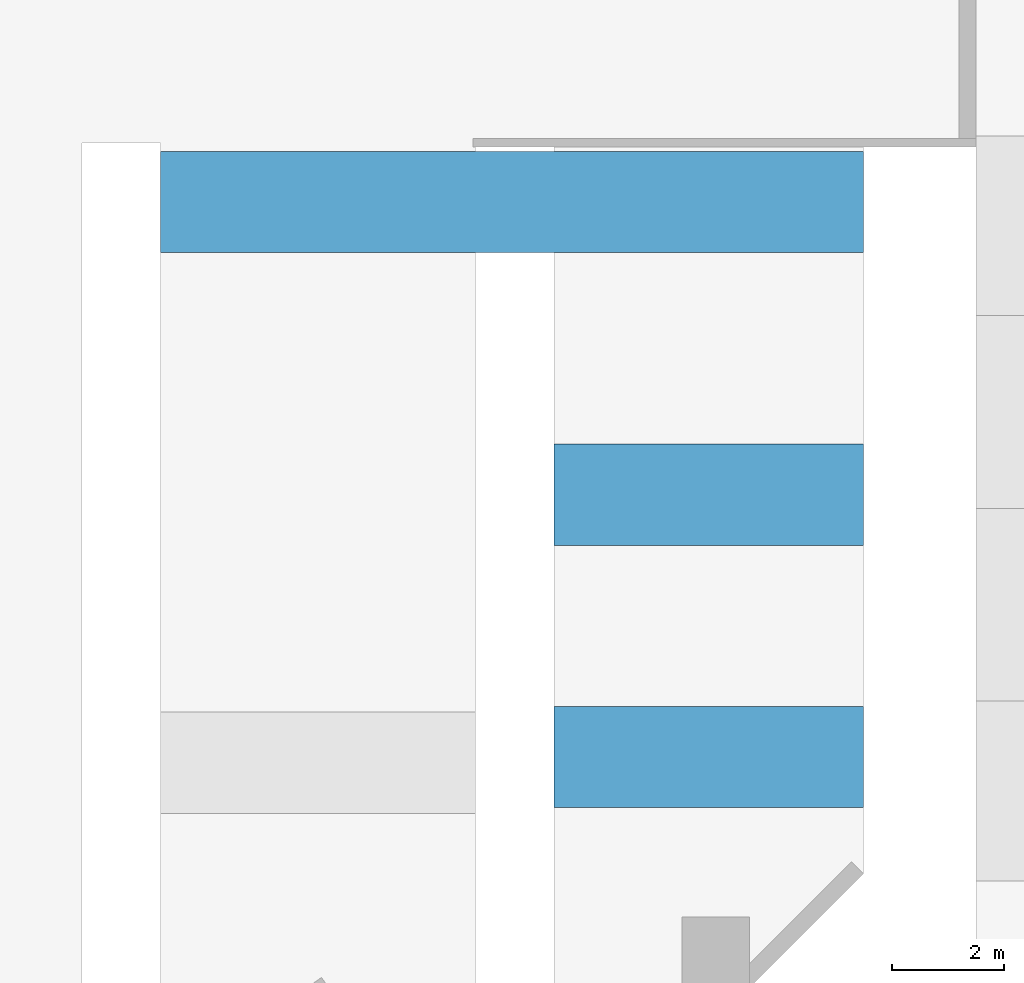
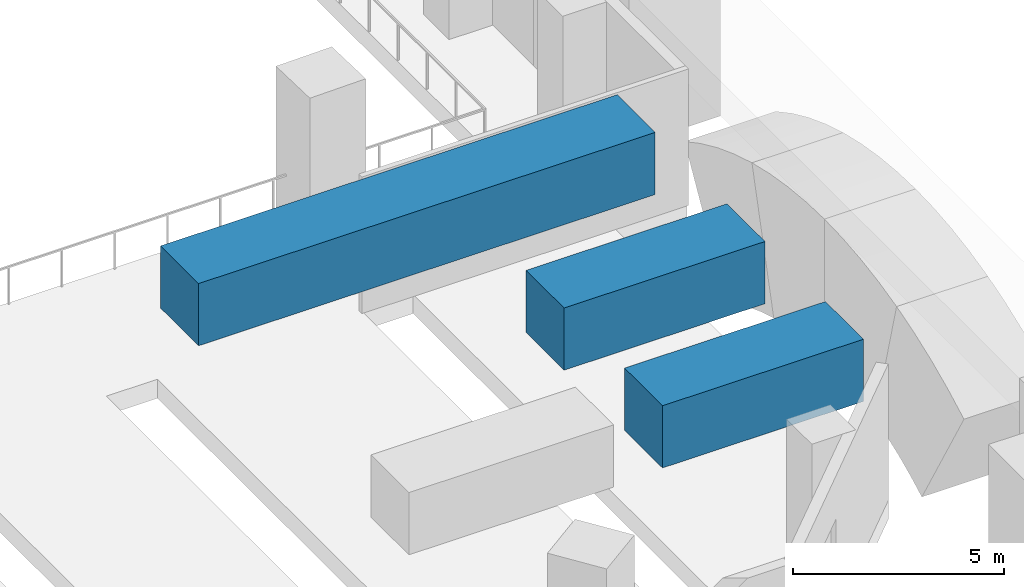
# One storey, part 4 of 13: 3 beams.
"""IFC4 building model written with IfcOpenShell, lengths in metres."""

from ifc_helpers import new_model, si_unit, direction, frame, origin, origin_2d, place, context, subcontext, project, spatial, rectangle, extrude, material, material_profile, profile_set, type_object, element, save


model = new_model("IFC4")

# Units and contexts
model_context = context("Model", 3, precision=1e-05, world=origin(), true_north=direction((0.0, 1.0)))
body_context = subcontext(model_context, "Body", "Model", "MODEL_VIEW")
ifc_project = project(units=[si_unit("LENGTHUNIT", "METRE"), si_unit("AREAUNIT", "SQUARE_METRE"), si_unit("VOLUMEUNIT", "CUBIC_METRE"), si_unit("PLANEANGLEUNIT", "RADIAN"), si_unit("MASSUNIT", "GRAM", prefix="KILO")], contexts=[model_context])

# Site, building, storey
site_placement = place(None, origin())
site = spatial("IfcSite", under=ifc_project, at=site_placement, CompositionType="ELEMENT")
building_placement = place(site_placement, origin())
building = spatial("IfcBuilding", under=site, at=building_placement, Name="Mangrove Gate Tower", CompositionType="ELEMENT")
storey_placement = place(building_placement, frame((0.0, 0.0, 20.5)))
storey = spatial("IfcBuildingStorey", under=building, at=storey_placement, Name="L04", CompositionType="ELEMENT", Elevation=20.5)

# Beams
ifc_material = material(Name="Concrete C60/75", Category="concrete")
ifc_material_profile = material_profile(ifc_material, rectangle(XDim=1.800048828125, YDim=1.800048828125, at=origin_2d()))
ifc_profile_set = profile_set([ifc_material_profile], Name="Concrete C60/75")
beam_type = type_object("IfcBeamType", Name="Transfer girder RC 1800x1800 C60/75", PredefinedType="BEAM", material=ifc_profile_set)
for number, where, z_axis, x_axis, name in (
    (1, (28.699951171875, -22.921142578125, 3.050048828125), (1.0, 0.0, 0.0), (0.0, 1.0, 0.0), "Transfer girder L04 TG08"),
    (2, (28.699951171875, -18.256591796875, 3.050048828125), (1.0, 0.0, 0.0), (0.0, 1.0, 0.0), "Transfer girder L04 TG09"),
):
    element("IfcBeam", number, at=place(storey_placement, frame(where, z_axis=z_axis, x_axis=x_axis)), inside=storey, type_object=beam_type, Name=name, PredefinedType="BEAM", context=body_context, shape_type="SweptSolid", body=[
        extrude(rectangle(XDim=1.800048828125, YDim=1.800048828125, at=origin_2d()), origin(), (0.0, 0.0, 1.0), 5.5),
    ])
beam_placement = place(storey_placement, frame((21.699951171875, -13.049560546875, 3.050048828125), z_axis=(1.0, 0.0, 0.0), x_axis=(0.0, 1.0, 0.0)))
element("IfcBeam", 3, at=beam_placement, inside=storey, type_object=beam_type, Name="Transfer girder L04 TG10", PredefinedType="BEAM", context=body_context, shape_type="SweptSolid", body=[
    extrude(rectangle(XDim=1.800048828125, YDim=1.800048828125, at=origin_2d()), origin(), (0.0, 0.0, 1.0), 12.5),
])

save(model, "model.ifc")
